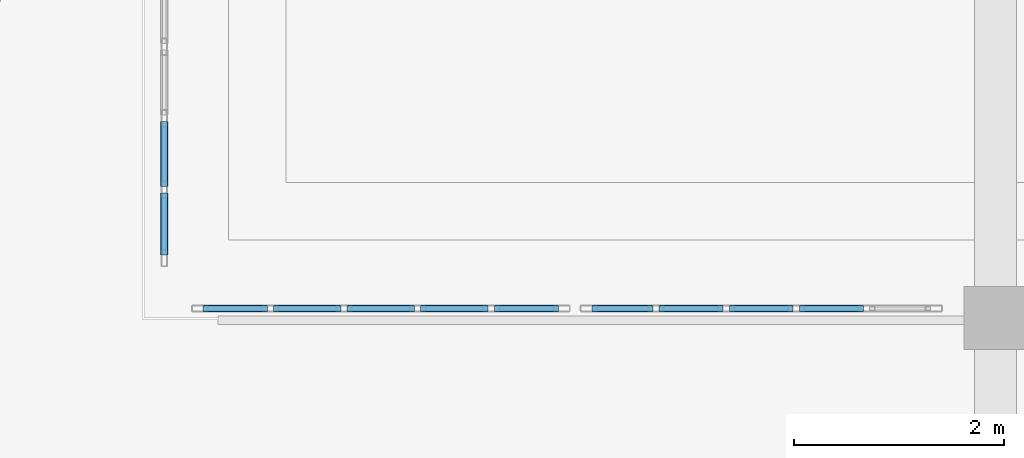
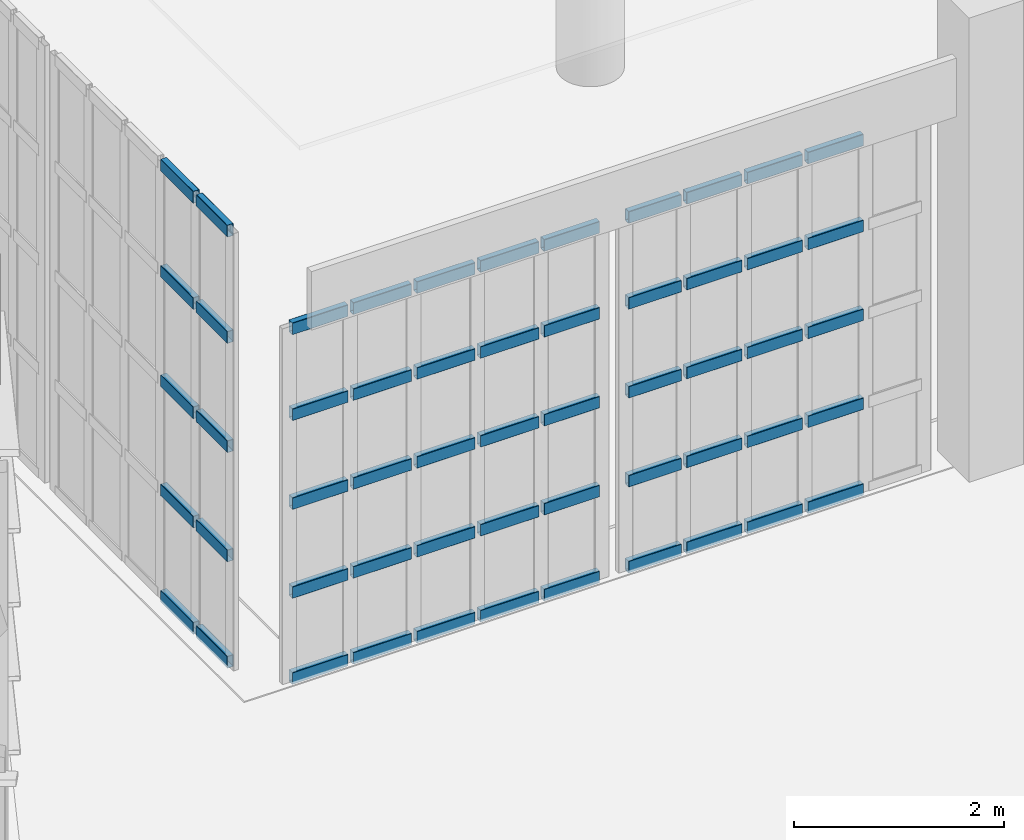
# One storey, part 312 of 372: 55 members, 3 elements without a shape of their own.
"""IFC4 building model written with IfcOpenShell, lengths in metres."""

import ifcopenshell
import ifcopenshell.guid

model = None  # the IFC model being written
_history = None  # IfcOwnerHistory: only IFC2X3 demands one
_inside = {}  # id of a spatial element -> (the spatial element, [elements in it])
_under = {}  # id of a project, library or spatial element -> (it, [spatial elements below it])
_declared = {}  # id of a project -> (the project, [libraries it declares])
_typed = {}  # id of a type object -> (the type object, [elements of that type])
_made_of = {}  # id of a material, layer set ... -> (it, [elements and type objects made of it])


def new_model(schema):
    """Start an empty IFC model of exactly this schema.

    Asked for "IFC4X3", IfcOpenShell would pick the latest addendum, in which some entities
    have other attributes; the version numbers below select the first issue.
    IFC2X3 requires an IfcOwnerHistory on every rooted entity: one is made here for all.
    """
    global model, _history
    if schema == "IFC4X3":
        model = ifcopenshell.file(schema_version=(4, 3, 0, 0))
    else:
        model = ifcopenshell.file(schema=schema)
    _inside.clear()
    _under.clear()
    _declared.clear()
    _typed.clear()
    _made_of.clear()
    _history = None
    if model.schema == "IFC2X3":
        org = make("IfcOrganization", Name="unknown")
        user = make(
            "IfcPersonAndOrganization",
            ThePerson=make("IfcPerson", FamilyName="unknown"),
            TheOrganization=org,
        )
        app = make(
            "IfcApplication",
            ApplicationDeveloper=org,
            Version="unknown",
            ApplicationFullName="unknown",
            ApplicationIdentifier="unknown",
        )
        _history = make(
            "IfcOwnerHistory",
            OwningUser=user,
            OwningApplication=app,
            ChangeAction="ADDED",
            CreationDate=0,
        )
    return model


def make(cls, **values):
    """One entity of the class cls with the attributes given. An attribute that is None is left unset."""
    return model.create_entity(
        cls, **{name: value for name, value in values.items() if value is not None}
    )


def rooted(cls, **values):
    """An entity with a GlobalId (a new one), such as an element, a storey or a relation."""
    return make(cls, GlobalId=ifcopenshell.guid.new(), OwnerHistory=_history, **values)


def si_unit(unit_type, name, prefix=None):
    """IfcSIUnit, for example si_unit("LENGTHUNIT", "METRE", prefix="MILLI")."""
    return make("IfcSIUnit", UnitType=unit_type, Prefix=prefix, Name=name)


def assignment(units):
    """IfcUnitAssignment: the units of a project."""
    return None if units is None else make("IfcUnitAssignment", Units=units)


def point(xyz):
    """IfcCartesianPoint."""
    return None if xyz is None else make("IfcCartesianPoint", Coordinates=xyz)


def direction(xyz):
    """IfcDirection."""
    return None if xyz is None else make("IfcDirection", DirectionRatios=xyz)


def frame(location, z_axis=None, x_axis=None):
    """IfcAxis2Placement3D, a coordinate frame: its origin and axes. An axis left out is left unset."""
    return make(
        "IfcAxis2Placement3D",
        Location=point(location),
        Axis=direction(z_axis),
        RefDirection=direction(x_axis),
    )


def frame_2d(location, x_axis=None):
    """IfcAxis2Placement2D, a coordinate frame in the plane: its origin and x axis."""
    return make(
        "IfcAxis2Placement2D", Location=point(location), RefDirection=direction(x_axis)
    )


def origin():
    """The frame at (0, 0, 0) with its axes left unset."""
    return frame((0.0, 0.0, 0.0))


def origin_2d():
    """The frame at (0, 0) in the plane with its x axis left unset."""
    return frame_2d((0.0, 0.0))


def place(relative_to, where):
    """IfcLocalPlacement: puts the frame where relative to a parent placement (None: the world)."""
    return make(
        "IfcLocalPlacement", PlacementRelTo=relative_to, RelativePlacement=where
    )


def context(
    kind, dimensions, precision=None, world=None, true_north=None, identifier=None
):
    """IfcGeometricRepresentationContext, for example the 3D "Model" context."""
    return make(
        "IfcGeometricRepresentationContext",
        ContextIdentifier=identifier,
        ContextType=kind,
        CoordinateSpaceDimension=dimensions,
        Precision=precision,
        WorldCoordinateSystem=world,
        TrueNorth=true_north,
    )


def subcontext(parent, identifier, kind, view, scale=None):
    """IfcGeometricRepresentationSubContext, for example "Body" below "Model"."""
    return make(
        "IfcGeometricRepresentationSubContext",
        ContextIdentifier=identifier,
        ContextType=kind,
        ParentContext=parent,
        TargetScale=scale,
        TargetView=view,
    )


def project(units=None, contexts=None):
    """IfcProject with its units and contexts."""
    return rooted(
        "IfcProject",
        Name="project",
        RepresentationContexts=contexts,
        UnitsInContext=assignment(units),
    )


def spatial(cls, under=None, at=None, **own):
    """A site, building, storey or space (cls), placed at a placement, below another one or the project."""
    s = rooted(cls, ObjectPlacement=at, **own)
    if under is not None:
        _under.setdefault(under.id(), (under, []))[1].append(s)
    return s


def profile(cls, at=None, kind="AREA", **sizes):
    """A parametric profile (cls). Its sizes go by their IFC names, for example OverallWidth=200.0."""
    return make(cls, ProfileType=kind, Position=at, **sizes)


def hollow_rectangle(**sizes):
    """IfcRectangleHollowProfileDef."""
    return profile("IfcRectangleHollowProfileDef", **sizes)


def extrude(swept, where, along, depth):
    """IfcExtrudedAreaSolid: the profile swept, set in the frame where, extruded along a direction by depth."""
    return make(
        "IfcExtrudedAreaSolid",
        SweptArea=swept,
        Position=where,
        ExtrudedDirection=direction(along),
        Depth=depth,
    )


def shape(context_of_items, identifier, shape_type, items):
    """IfcShapeRepresentation: the items that make up one representation, for example the "Body"."""
    return make(
        "IfcShapeRepresentation",
        ContextOfItems=context_of_items,
        RepresentationIdentifier=identifier,
        RepresentationType=shape_type,
        Items=items,
    )


def material(Name=None, Category=None):
    """IfcMaterial."""
    return make("IfcMaterial", Name=Name, Category=Category)


def material_profile(
    of_material, cross_section, Name=None, Category=None, Priority=None
):
    """IfcMaterialProfile: a cross section and its material."""
    return make(
        "IfcMaterialProfile",
        Name=Name,
        Material=of_material,
        Profile=cross_section,
        Priority=Priority,
        Category=Category,
    )


def profile_set(profiles, Name=None, composite=None):
    """IfcMaterialProfileSet."""
    return make(
        "IfcMaterialProfileSet",
        Name=Name,
        MaterialProfiles=profiles,
        CompositeProfile=composite,
    )


def made_of(thing, what):
    """Note that an element or type object is made of a material, layer set ...; save() writes the relation."""
    if what is not None:
        _made_of.setdefault(what.id(), (what, []))[1].append(thing)
    return thing


def type_object(cls, material=None, **own):
    """A type object (cls), such as IfcWallType, which elements share."""
    return made_of(rooted(cls, **own), material)


def element(
    cls,
    number,
    at=None,
    inside=None,
    cuts=None,
    type_object=None,
    material=None,
    context=None,
    identifier="Body",
    shape_type=None,
    held_by="IfcProductDefinitionShape",
    body=None,
    shapes=None,
    **own,
):
    """One element of the class cls, such as IfcWall. Its Tag is "e" and its number.

    at: its placement. inside: the storey or other place that contains it. cuts: it is an
    opening in that element (IfcRelVoidsElement). A single representation is given by context,
    identifier, shape_type and body (its items); several are given by shapes. held_by: the class
    of the entity that holds the representations. save() writes the other relations.
    """
    e = rooted(cls, Tag="e%d" % number, ObjectPlacement=at, **own)
    if body is not None:
        shapes = [shape(context, identifier, shape_type, body)]
    if shapes is not None:
        e.Representation = make(held_by, Representations=shapes)
    if inside is not None:
        _inside.setdefault(inside.id(), (inside, []))[1].append(e)
    if cuts is not None:
        rooted(
            "IfcRelVoidsElement", RelatingBuildingElement=cuts, RelatedOpeningElement=e
        )
    if type_object is not None:
        _typed.setdefault(type_object.id(), (type_object, []))[1].append(e)
    return made_of(e, material)


def aggregate(whole, parts):
    """IfcRelAggregates: a whole, such as a stair, and the parts it consists of."""
    return rooted("IfcRelAggregates", RelatingObject=whole, RelatedObjects=parts)


def save(model, path):
    """Write the relations noted so far, then the file.

    IfcRelAggregates (storeys below a building ...), IfcRelContainedInSpatialStructure (elements
    in a storey), IfcRelDefinesByType, IfcRelAssociatesMaterial and IfcRelDeclares: one each for
    every whole, place, type object, material and project.
    """
    for whole, parts in _under.values():
        aggregate(whole, parts)
    for where, things in _inside.values():
        rooted(
            "IfcRelContainedInSpatialStructure",
            RelatedElements=things,
            RelatingStructure=where,
        )
    for kind, things in _typed.values():
        rooted("IfcRelDefinesByType", RelatedObjects=things, RelatingType=kind)
    for what, things in _made_of.values():
        rooted("IfcRelAssociatesMaterial", RelatedObjects=things, RelatingMaterial=what)
    for by, libraries in _declared.values():
        rooted("IfcRelDeclares", RelatingContext=by, RelatedDefinitions=libraries)
    model.write(path)


model = new_model("IFC4")

# Units and contexts
model_context = context("Model", 3, precision=1e-05, world=origin(), true_north=direction((0.0, 1.0)))
body_context = subcontext(model_context, "Body", "Model", "MODEL_VIEW")
ifc_project = project(units=[si_unit("LENGTHUNIT", "METRE"), si_unit("AREAUNIT", "SQUARE_METRE"), si_unit("VOLUMEUNIT", "CUBIC_METRE"), si_unit("PLANEANGLEUNIT", "RADIAN"), si_unit("MASSUNIT", "GRAM", prefix="KILO")], contexts=[model_context])

# Site, building, storey
site_placement = place(None, origin())
site = spatial("IfcSite", under=ifc_project, at=site_placement, CompositionType="ELEMENT")
building_placement = place(site_placement, origin())
building = spatial("IfcBuilding", under=site, at=building_placement, Name="Kaelora Sail Theatre", CompositionType="ELEMENT")
storey_placement = place(building_placement, origin())
storey = spatial("IfcBuildingStorey", under=building, at=storey_placement, Name="L00", CompositionType="ELEMENT", Elevation=0.0)

# Curtain wall, members
ifc_material_1 = material(Name="Anodised aluminium and solar-control low-E IGU", Category="aluminium")
curtain_wall_type_1 = type_object("IfcCurtainWallType", Name="ARC-CW-CW-NWG", PredefinedType="NOTDEFINED", material=ifc_material_1)
curtain_wall_1_placement = place(storey_placement, origin())
curtain_wall_1 = element("IfcCurtainWall", 1, at=curtain_wall_1_placement, inside=storey, type_object=curtain_wall_type_1, Name="Glazed Foyer/Conservatory Curtain Wall COLE-S-L00-01", PredefinedType="NOTDEFINED")
ifc_material_2 = material(Name="Anodised aluminium 6063-T6", Category="aluminium")
ifc_material_profile = material_profile(ifc_material_2, hollow_rectangle(XDim=0.070068359375, YDim=0.139892578125, WallThickness=0.00390625, InnerFilletRadius=0.00390625, OuterFilletRadius=0.008056640625, at=origin_2d()), Name="ALU-TRAN 70x140x4")
ifc_profile_set = profile_set([ifc_material_profile], Name="Anodised aluminium 6063-T6")
member_type = type_object("IfcMemberType", Name="ARC-MEM-TR-140", PredefinedType="USERDEFINED", material=ifc_profile_set)
member_1_placement = place(storey_placement, frame((147.860107421875, 31.35009765625, 0.034912109375), z_axis=(1.0, 0.0, 0.0), x_axis=(0.0, 1.0, 0.0)))
member_1 = element("IfcMember", 2, at=member_1_placement, type_object=member_type, Name="CW-NWG transom 1.1", ObjectType="TRANSOM", PredefinedType="USERDEFINED", context=body_context, shape_type="SweptSolid", body=[
    extrude(hollow_rectangle(XDim=0.070068359375, YDim=0.139892578125, WallThickness=0.00390625, InnerFilletRadius=0.00390625, OuterFilletRadius=0.008056640625, at=origin_2d()), origin(), (0.0, 0.0, 1.0), 0.60986328125),
])
member_2_placement = place(storey_placement, frame((147.860107421875, 31.35009765625, 1.0341796875), z_axis=(1.0, 0.0, 0.0), x_axis=(0.0, 1.0, 0.0)))
member_2 = element("IfcMember", 3, at=member_2_placement, type_object=member_type, Name="CW-NWG transom 1.2", ObjectType="TRANSOM", PredefinedType="USERDEFINED", context=body_context, shape_type="SweptSolid", body=[
    extrude(hollow_rectangle(XDim=0.070068359375, YDim=0.139892578125, WallThickness=0.00390625, InnerFilletRadius=0.00390625, OuterFilletRadius=0.008056640625, at=origin_2d()), origin(), (0.0, 0.0, 1.0), 0.60986328125),
])
member_3_placement = place(storey_placement, frame((147.860107421875, 31.35009765625, 2.068603515625), z_axis=(1.0, 0.0, 0.0), x_axis=(0.0, 1.0, 0.0)))
member_3 = element("IfcMember", 4, at=member_3_placement, type_object=member_type, Name="CW-NWG transom 1.3", ObjectType="TRANSOM", PredefinedType="USERDEFINED", context=body_context, shape_type="SweptSolid", body=[
    extrude(hollow_rectangle(XDim=0.070068359375, YDim=0.139892578125, WallThickness=0.00390625, InnerFilletRadius=0.00390625, OuterFilletRadius=0.008056640625, at=origin_2d()), origin(), (0.0, 0.0, 1.0), 0.60986328125),
])
member_4_placement = place(storey_placement, frame((147.860107421875, 31.35009765625, 3.102783203125), z_axis=(1.0, 0.0, 0.0), x_axis=(0.0, 1.0, 0.0)))
member_4 = element("IfcMember", 5, at=member_4_placement, type_object=member_type, Name="CW-NWG transom 1.4", ObjectType="TRANSOM", PredefinedType="USERDEFINED", context=body_context, shape_type="SweptSolid", body=[
    extrude(hollow_rectangle(XDim=0.070068359375, YDim=0.139892578125, WallThickness=0.00390625, InnerFilletRadius=0.00390625, OuterFilletRadius=0.008056640625, at=origin_2d()), origin(), (0.0, 0.0, 1.0), 0.60986328125),
])
member_5_placement = place(storey_placement, frame((147.860107421875, 31.35009765625, 4.10205078125), z_axis=(1.0, 0.0, 0.0), x_axis=(0.0, 1.0, 0.0)))
member_5 = element("IfcMember", 6, at=member_5_placement, type_object=member_type, Name="CW-NWG transom 1.5", ObjectType="TRANSOM", PredefinedType="USERDEFINED", context=body_context, shape_type="SweptSolid", body=[
    extrude(hollow_rectangle(XDim=0.070068359375, YDim=0.139892578125, WallThickness=0.00390625, InnerFilletRadius=0.00390625, OuterFilletRadius=0.008056640625, at=origin_2d()), origin(), (0.0, 0.0, 1.0), 0.60986328125),
])
member_6_placement = place(storey_placement, frame((148.530029296875, 31.35009765625, 0.034912109375), z_axis=(1.0, 0.0, 0.0), x_axis=(0.0, 1.0, 0.0)))
member_6 = element("IfcMember", 7, at=member_6_placement, type_object=member_type, Name="CW-NWG transom 2.1", ObjectType="TRANSOM", PredefinedType="USERDEFINED", context=body_context, shape_type="SweptSolid", body=[
    extrude(hollow_rectangle(XDim=0.070068359375, YDim=0.139892578125, WallThickness=0.00390625, InnerFilletRadius=0.00390625, OuterFilletRadius=0.008056640625, at=origin_2d()), origin(), (0.0, 0.0, 1.0), 0.639892578125),
])
member_7_placement = place(storey_placement, frame((148.530029296875, 31.35009765625, 1.0341796875), z_axis=(1.0, 0.0, 0.0), x_axis=(0.0, 1.0, 0.0)))
member_7 = element("IfcMember", 8, at=member_7_placement, type_object=member_type, Name="CW-NWG transom 2.2", ObjectType="TRANSOM", PredefinedType="USERDEFINED", context=body_context, shape_type="SweptSolid", body=[
    extrude(hollow_rectangle(XDim=0.070068359375, YDim=0.139892578125, WallThickness=0.00390625, InnerFilletRadius=0.00390625, OuterFilletRadius=0.008056640625, at=origin_2d()), origin(), (0.0, 0.0, 1.0), 0.639892578125),
])
member_8_placement = place(storey_placement, frame((148.530029296875, 31.35009765625, 2.068603515625), z_axis=(1.0, 0.0, 0.0), x_axis=(0.0, 1.0, 0.0)))
member_8 = element("IfcMember", 9, at=member_8_placement, type_object=member_type, Name="CW-NWG transom 2.3", ObjectType="TRANSOM", PredefinedType="USERDEFINED", context=body_context, shape_type="SweptSolid", body=[
    extrude(hollow_rectangle(XDim=0.070068359375, YDim=0.139892578125, WallThickness=0.00390625, InnerFilletRadius=0.00390625, OuterFilletRadius=0.008056640625, at=origin_2d()), origin(), (0.0, 0.0, 1.0), 0.639892578125),
])
member_9_placement = place(storey_placement, frame((148.530029296875, 31.35009765625, 3.102783203125), z_axis=(1.0, 0.0, 0.0), x_axis=(0.0, 1.0, 0.0)))
member_9 = element("IfcMember", 10, at=member_9_placement, type_object=member_type, Name="CW-NWG transom 2.4", ObjectType="TRANSOM", PredefinedType="USERDEFINED", context=body_context, shape_type="SweptSolid", body=[
    extrude(hollow_rectangle(XDim=0.070068359375, YDim=0.139892578125, WallThickness=0.00390625, InnerFilletRadius=0.00390625, OuterFilletRadius=0.008056640625, at=origin_2d()), origin(), (0.0, 0.0, 1.0), 0.639892578125),
])
member_10_placement = place(storey_placement, frame((148.530029296875, 31.35009765625, 4.10205078125), z_axis=(1.0, 0.0, 0.0), x_axis=(0.0, 1.0, 0.0)))
member_10 = element("IfcMember", 11, at=member_10_placement, type_object=member_type, Name="CW-NWG transom 2.5", ObjectType="TRANSOM", PredefinedType="USERDEFINED", context=body_context, shape_type="SweptSolid", body=[
    extrude(hollow_rectangle(XDim=0.070068359375, YDim=0.139892578125, WallThickness=0.00390625, InnerFilletRadius=0.00390625, OuterFilletRadius=0.008056640625, at=origin_2d()), origin(), (0.0, 0.0, 1.0), 0.639892578125),
])
member_11_placement = place(storey_placement, frame((149.22998046875, 31.35009765625, 0.034912109375), z_axis=(1.0, 0.0, 0.0), x_axis=(0.0, 1.0, 0.0)))
member_11 = element("IfcMember", 12, at=member_11_placement, type_object=member_type, Name="CW-NWG transom 3.1", ObjectType="TRANSOM", PredefinedType="USERDEFINED", context=body_context, shape_type="SweptSolid", body=[
    extrude(hollow_rectangle(XDim=0.070068359375, YDim=0.139892578125, WallThickness=0.00390625, InnerFilletRadius=0.00390625, OuterFilletRadius=0.008056640625, at=origin_2d()), origin(), (0.0, 0.0, 1.0), 0.64013671875),
])
member_12_placement = place(storey_placement, frame((149.22998046875, 31.35009765625, 1.0341796875), z_axis=(1.0, 0.0, 0.0), x_axis=(0.0, 1.0, 0.0)))
member_12 = element("IfcMember", 13, at=member_12_placement, type_object=member_type, Name="CW-NWG transom 3.2", ObjectType="TRANSOM", PredefinedType="USERDEFINED", context=body_context, shape_type="SweptSolid", body=[
    extrude(hollow_rectangle(XDim=0.070068359375, YDim=0.139892578125, WallThickness=0.00390625, InnerFilletRadius=0.00390625, OuterFilletRadius=0.008056640625, at=origin_2d()), origin(), (0.0, 0.0, 1.0), 0.64013671875),
])
member_13_placement = place(storey_placement, frame((149.22998046875, 31.35009765625, 2.068603515625), z_axis=(1.0, 0.0, 0.0), x_axis=(0.0, 1.0, 0.0)))
member_13 = element("IfcMember", 14, at=member_13_placement, type_object=member_type, Name="CW-NWG transom 3.3", ObjectType="TRANSOM", PredefinedType="USERDEFINED", context=body_context, shape_type="SweptSolid", body=[
    extrude(hollow_rectangle(XDim=0.070068359375, YDim=0.139892578125, WallThickness=0.00390625, InnerFilletRadius=0.00390625, OuterFilletRadius=0.008056640625, at=origin_2d()), origin(), (0.0, 0.0, 1.0), 0.64013671875),
])
member_14_placement = place(storey_placement, frame((149.22998046875, 31.35009765625, 3.102783203125), z_axis=(1.0, 0.0, 0.0), x_axis=(0.0, 1.0, 0.0)))
member_14 = element("IfcMember", 15, at=member_14_placement, type_object=member_type, Name="CW-NWG transom 3.4", ObjectType="TRANSOM", PredefinedType="USERDEFINED", context=body_context, shape_type="SweptSolid", body=[
    extrude(hollow_rectangle(XDim=0.070068359375, YDim=0.139892578125, WallThickness=0.00390625, InnerFilletRadius=0.00390625, OuterFilletRadius=0.008056640625, at=origin_2d()), origin(), (0.0, 0.0, 1.0), 0.64013671875),
])
member_15_placement = place(storey_placement, frame((149.22998046875, 31.35009765625, 4.10205078125), z_axis=(1.0, 0.0, 0.0), x_axis=(0.0, 1.0, 0.0)))
member_15 = element("IfcMember", 16, at=member_15_placement, type_object=member_type, Name="CW-NWG transom 3.5", ObjectType="TRANSOM", PredefinedType="USERDEFINED", context=body_context, shape_type="SweptSolid", body=[
    extrude(hollow_rectangle(XDim=0.070068359375, YDim=0.139892578125, WallThickness=0.00390625, InnerFilletRadius=0.00390625, OuterFilletRadius=0.008056640625, at=origin_2d()), origin(), (0.0, 0.0, 1.0), 0.64013671875),
])
member_16_placement = place(storey_placement, frame((149.929931640625, 31.35009765625, 0.034912109375), z_axis=(1.0, 0.0, 0.0), x_axis=(0.0, 1.0, 0.0)))
member_16 = element("IfcMember", 17, at=member_16_placement, type_object=member_type, Name="CW-NWG transom 4.1", ObjectType="TRANSOM", PredefinedType="USERDEFINED", context=body_context, shape_type="SweptSolid", body=[
    extrude(hollow_rectangle(XDim=0.070068359375, YDim=0.139892578125, WallThickness=0.00390625, InnerFilletRadius=0.00390625, OuterFilletRadius=0.008056640625, at=origin_2d()), origin(), (0.0, 0.0, 1.0), 0.64013671875),
])
member_17_placement = place(storey_placement, frame((149.929931640625, 31.35009765625, 1.0341796875), z_axis=(1.0, 0.0, 0.0), x_axis=(0.0, 1.0, 0.0)))
member_17 = element("IfcMember", 18, at=member_17_placement, type_object=member_type, Name="CW-NWG transom 4.2", ObjectType="TRANSOM", PredefinedType="USERDEFINED", context=body_context, shape_type="SweptSolid", body=[
    extrude(hollow_rectangle(XDim=0.070068359375, YDim=0.139892578125, WallThickness=0.00390625, InnerFilletRadius=0.00390625, OuterFilletRadius=0.008056640625, at=origin_2d()), origin(), (0.0, 0.0, 1.0), 0.64013671875),
])
member_18_placement = place(storey_placement, frame((149.929931640625, 31.35009765625, 2.068603515625), z_axis=(1.0, 0.0, 0.0), x_axis=(0.0, 1.0, 0.0)))
member_18 = element("IfcMember", 19, at=member_18_placement, type_object=member_type, Name="CW-NWG transom 4.3", ObjectType="TRANSOM", PredefinedType="USERDEFINED", context=body_context, shape_type="SweptSolid", body=[
    extrude(hollow_rectangle(XDim=0.070068359375, YDim=0.139892578125, WallThickness=0.00390625, InnerFilletRadius=0.00390625, OuterFilletRadius=0.008056640625, at=origin_2d()), origin(), (0.0, 0.0, 1.0), 0.64013671875),
])
member_19_placement = place(storey_placement, frame((149.929931640625, 31.35009765625, 3.102783203125), z_axis=(1.0, 0.0, 0.0), x_axis=(0.0, 1.0, 0.0)))
member_19 = element("IfcMember", 20, at=member_19_placement, type_object=member_type, Name="CW-NWG transom 4.4", ObjectType="TRANSOM", PredefinedType="USERDEFINED", context=body_context, shape_type="SweptSolid", body=[
    extrude(hollow_rectangle(XDim=0.070068359375, YDim=0.139892578125, WallThickness=0.00390625, InnerFilletRadius=0.00390625, OuterFilletRadius=0.008056640625, at=origin_2d()), origin(), (0.0, 0.0, 1.0), 0.64013671875),
])
member_20_placement = place(storey_placement, frame((149.929931640625, 31.35009765625, 4.10205078125), z_axis=(1.0, 0.0, 0.0), x_axis=(0.0, 1.0, 0.0)))
member_20 = element("IfcMember", 21, at=member_20_placement, type_object=member_type, Name="CW-NWG transom 4.5", ObjectType="TRANSOM", PredefinedType="USERDEFINED", context=body_context, shape_type="SweptSolid", body=[
    extrude(hollow_rectangle(XDim=0.070068359375, YDim=0.139892578125, WallThickness=0.00390625, InnerFilletRadius=0.00390625, OuterFilletRadius=0.008056640625, at=origin_2d()), origin(), (0.0, 0.0, 1.0), 0.64013671875),
])
member_21_placement = place(storey_placement, frame((150.6298828125, 31.35009765625, 0.034912109375), z_axis=(1.0, 0.0, 0.0), x_axis=(0.0, 1.0, 0.0)))
member_21 = element("IfcMember", 22, at=member_21_placement, type_object=member_type, Name="CW-NWG transom 5.1", ObjectType="TRANSOM", PredefinedType="USERDEFINED", context=body_context, shape_type="SweptSolid", body=[
    extrude(hollow_rectangle(XDim=0.070068359375, YDim=0.139892578125, WallThickness=0.00390625, InnerFilletRadius=0.00390625, OuterFilletRadius=0.008056640625, at=origin_2d()), origin(), (0.0, 0.0, 1.0), 0.610107421875),
])
member_22_placement = place(storey_placement, frame((150.6298828125, 31.35009765625, 1.0341796875), z_axis=(1.0, 0.0, 0.0), x_axis=(0.0, 1.0, 0.0)))
member_22 = element("IfcMember", 23, at=member_22_placement, type_object=member_type, Name="CW-NWG transom 5.2", ObjectType="TRANSOM", PredefinedType="USERDEFINED", context=body_context, shape_type="SweptSolid", body=[
    extrude(hollow_rectangle(XDim=0.070068359375, YDim=0.139892578125, WallThickness=0.00390625, InnerFilletRadius=0.00390625, OuterFilletRadius=0.008056640625, at=origin_2d()), origin(), (0.0, 0.0, 1.0), 0.610107421875),
])
member_23_placement = place(storey_placement, frame((150.6298828125, 31.35009765625, 2.068603515625), z_axis=(1.0, 0.0, 0.0), x_axis=(0.0, 1.0, 0.0)))
member_23 = element("IfcMember", 24, at=member_23_placement, type_object=member_type, Name="CW-NWG transom 5.3", ObjectType="TRANSOM", PredefinedType="USERDEFINED", context=body_context, shape_type="SweptSolid", body=[
    extrude(hollow_rectangle(XDim=0.070068359375, YDim=0.139892578125, WallThickness=0.00390625, InnerFilletRadius=0.00390625, OuterFilletRadius=0.008056640625, at=origin_2d()), origin(), (0.0, 0.0, 1.0), 0.610107421875),
])
member_24_placement = place(storey_placement, frame((150.6298828125, 31.35009765625, 3.102783203125), z_axis=(1.0, 0.0, 0.0), x_axis=(0.0, 1.0, 0.0)))
member_24 = element("IfcMember", 25, at=member_24_placement, type_object=member_type, Name="CW-NWG transom 5.4", ObjectType="TRANSOM", PredefinedType="USERDEFINED", context=body_context, shape_type="SweptSolid", body=[
    extrude(hollow_rectangle(XDim=0.070068359375, YDim=0.139892578125, WallThickness=0.00390625, InnerFilletRadius=0.00390625, OuterFilletRadius=0.008056640625, at=origin_2d()), origin(), (0.0, 0.0, 1.0), 0.610107421875),
])
member_25_placement = place(storey_placement, frame((150.6298828125, 31.35009765625, 4.10205078125), z_axis=(1.0, 0.0, 0.0), x_axis=(0.0, 1.0, 0.0)))
member_25 = element("IfcMember", 26, at=member_25_placement, type_object=member_type, Name="CW-NWG transom 5.5", ObjectType="TRANSOM", PredefinedType="USERDEFINED", context=body_context, shape_type="SweptSolid", body=[
    extrude(hollow_rectangle(XDim=0.070068359375, YDim=0.139892578125, WallThickness=0.00390625, InnerFilletRadius=0.00390625, OuterFilletRadius=0.008056640625, at=origin_2d()), origin(), (0.0, 0.0, 1.0), 0.610107421875),
])
aggregate(curtain_wall_1, [member_1, member_2, member_3, member_4, member_5, member_6, member_7, member_8, member_9, member_10, member_11, member_12, member_13, member_14, member_15, member_16, member_17, member_18, member_19, member_20, member_21, member_22, member_23, member_24, member_25])

curtain_wall_2_placement = place(storey_placement, origin())
curtain_wall_2 = element("IfcCurtainWall", 27, at=curtain_wall_2_placement, inside=storey, type_object=curtain_wall_type_1, Name="Glazed Foyer/Conservatory Curtain Wall COLE-S-L00-02", PredefinedType="NOTDEFINED")
member_26_placement = place(storey_placement, frame((151.56005859375, 31.35009765625, 0.034912109375), z_axis=(1.0, 0.0, 0.0), x_axis=(0.0, 1.0, 0.0)))
member_26 = element("IfcMember", 28, at=member_26_placement, type_object=member_type, Name="CW-NWG transom 1.1", ObjectType="TRANSOM", PredefinedType="USERDEFINED", context=body_context, shape_type="SweptSolid", body=[
    extrude(hollow_rectangle(XDim=0.070068359375, YDim=0.139892578125, WallThickness=0.00390625, InnerFilletRadius=0.00390625, OuterFilletRadius=0.008056640625, at=origin_2d()), origin(), (0.0, 0.0, 1.0), 0.577880859375),
])
member_27_placement = place(storey_placement, frame((151.56005859375, 31.35009765625, 1.0341796875), z_axis=(1.0, 0.0, 0.0), x_axis=(0.0, 1.0, 0.0)))
member_27 = element("IfcMember", 29, at=member_27_placement, type_object=member_type, Name="CW-NWG transom 1.2", ObjectType="TRANSOM", PredefinedType="USERDEFINED", context=body_context, shape_type="SweptSolid", body=[
    extrude(hollow_rectangle(XDim=0.070068359375, YDim=0.139892578125, WallThickness=0.00390625, InnerFilletRadius=0.00390625, OuterFilletRadius=0.008056640625, at=origin_2d()), origin(), (0.0, 0.0, 1.0), 0.577880859375),
])
member_28_placement = place(storey_placement, frame((151.56005859375, 31.35009765625, 2.068603515625), z_axis=(1.0, 0.0, 0.0), x_axis=(0.0, 1.0, 0.0)))
member_28 = element("IfcMember", 30, at=member_28_placement, type_object=member_type, Name="CW-NWG transom 1.3", ObjectType="TRANSOM", PredefinedType="USERDEFINED", context=body_context, shape_type="SweptSolid", body=[
    extrude(hollow_rectangle(XDim=0.070068359375, YDim=0.139892578125, WallThickness=0.00390625, InnerFilletRadius=0.00390625, OuterFilletRadius=0.008056640625, at=origin_2d()), origin(), (0.0, 0.0, 1.0), 0.577880859375),
])
member_29_placement = place(storey_placement, frame((151.56005859375, 31.35009765625, 3.102783203125), z_axis=(1.0, 0.0, 0.0), x_axis=(0.0, 1.0, 0.0)))
member_29 = element("IfcMember", 31, at=member_29_placement, type_object=member_type, Name="CW-NWG transom 1.4", ObjectType="TRANSOM", PredefinedType="USERDEFINED", context=body_context, shape_type="SweptSolid", body=[
    extrude(hollow_rectangle(XDim=0.070068359375, YDim=0.139892578125, WallThickness=0.00390625, InnerFilletRadius=0.00390625, OuterFilletRadius=0.008056640625, at=origin_2d()), origin(), (0.0, 0.0, 1.0), 0.577880859375),
])
member_30_placement = place(storey_placement, frame((151.56005859375, 31.35009765625, 4.10205078125), z_axis=(1.0, 0.0, 0.0), x_axis=(0.0, 1.0, 0.0)))
member_30 = element("IfcMember", 32, at=member_30_placement, type_object=member_type, Name="CW-NWG transom 1.5", ObjectType="TRANSOM", PredefinedType="USERDEFINED", context=body_context, shape_type="SweptSolid", body=[
    extrude(hollow_rectangle(XDim=0.070068359375, YDim=0.139892578125, WallThickness=0.00390625, InnerFilletRadius=0.00390625, OuterFilletRadius=0.008056640625, at=origin_2d()), origin(), (0.0, 0.0, 1.0), 0.577880859375),
])
member_31_placement = place(storey_placement, frame((152.197998046875, 31.35009765625, 0.034912109375), z_axis=(1.0, 0.0, 0.0), x_axis=(0.0, 1.0, 0.0)))
member_31 = element("IfcMember", 33, at=member_31_placement, type_object=member_type, Name="CW-NWG transom 2.1", ObjectType="TRANSOM", PredefinedType="USERDEFINED", context=body_context, shape_type="SweptSolid", body=[
    extrude(hollow_rectangle(XDim=0.070068359375, YDim=0.139892578125, WallThickness=0.00390625, InnerFilletRadius=0.00390625, OuterFilletRadius=0.008056640625, at=origin_2d()), origin(), (0.0, 0.0, 1.0), 0.60791015625),
])
member_32_placement = place(storey_placement, frame((152.197998046875, 31.35009765625, 1.0341796875), z_axis=(1.0, 0.0, 0.0), x_axis=(0.0, 1.0, 0.0)))
member_32 = element("IfcMember", 34, at=member_32_placement, type_object=member_type, Name="CW-NWG transom 2.2", ObjectType="TRANSOM", PredefinedType="USERDEFINED", context=body_context, shape_type="SweptSolid", body=[
    extrude(hollow_rectangle(XDim=0.070068359375, YDim=0.139892578125, WallThickness=0.00390625, InnerFilletRadius=0.00390625, OuterFilletRadius=0.008056640625, at=origin_2d()), origin(), (0.0, 0.0, 1.0), 0.60791015625),
])
member_33_placement = place(storey_placement, frame((152.197998046875, 31.35009765625, 2.068603515625), z_axis=(1.0, 0.0, 0.0), x_axis=(0.0, 1.0, 0.0)))
member_33 = element("IfcMember", 35, at=member_33_placement, type_object=member_type, Name="CW-NWG transom 2.3", ObjectType="TRANSOM", PredefinedType="USERDEFINED", context=body_context, shape_type="SweptSolid", body=[
    extrude(hollow_rectangle(XDim=0.070068359375, YDim=0.139892578125, WallThickness=0.00390625, InnerFilletRadius=0.00390625, OuterFilletRadius=0.008056640625, at=origin_2d()), origin(), (0.0, 0.0, 1.0), 0.60791015625),
])
member_34_placement = place(storey_placement, frame((152.197998046875, 31.35009765625, 3.102783203125), z_axis=(1.0, 0.0, 0.0), x_axis=(0.0, 1.0, 0.0)))
member_34 = element("IfcMember", 36, at=member_34_placement, type_object=member_type, Name="CW-NWG transom 2.4", ObjectType="TRANSOM", PredefinedType="USERDEFINED", context=body_context, shape_type="SweptSolid", body=[
    extrude(hollow_rectangle(XDim=0.070068359375, YDim=0.139892578125, WallThickness=0.00390625, InnerFilletRadius=0.00390625, OuterFilletRadius=0.008056640625, at=origin_2d()), origin(), (0.0, 0.0, 1.0), 0.60791015625),
])
member_35_placement = place(storey_placement, frame((152.197998046875, 31.35009765625, 4.10205078125), z_axis=(1.0, 0.0, 0.0), x_axis=(0.0, 1.0, 0.0)))
member_35 = element("IfcMember", 37, at=member_35_placement, type_object=member_type, Name="CW-NWG transom 2.5", ObjectType="TRANSOM", PredefinedType="USERDEFINED", context=body_context, shape_type="SweptSolid", body=[
    extrude(hollow_rectangle(XDim=0.070068359375, YDim=0.139892578125, WallThickness=0.00390625, InnerFilletRadius=0.00390625, OuterFilletRadius=0.008056640625, at=origin_2d()), origin(), (0.0, 0.0, 1.0), 0.60791015625),
])
member_36_placement = place(storey_placement, frame((152.865966796875, 31.35009765625, 0.034912109375), z_axis=(1.0, 0.0, 0.0), x_axis=(0.0, 1.0, 0.0)))
member_36 = element("IfcMember", 38, at=member_36_placement, type_object=member_type, Name="CW-NWG transom 3.1", ObjectType="TRANSOM", PredefinedType="USERDEFINED", context=body_context, shape_type="SweptSolid", body=[
    extrude(hollow_rectangle(XDim=0.070068359375, YDim=0.139892578125, WallThickness=0.00390625, InnerFilletRadius=0.00390625, OuterFilletRadius=0.008056640625, at=origin_2d()), origin(), (0.0, 0.0, 1.0), 0.608154296875),
])
member_37_placement = place(storey_placement, frame((152.865966796875, 31.35009765625, 1.0341796875), z_axis=(1.0, 0.0, 0.0), x_axis=(0.0, 1.0, 0.0)))
member_37 = element("IfcMember", 39, at=member_37_placement, type_object=member_type, Name="CW-NWG transom 3.2", ObjectType="TRANSOM", PredefinedType="USERDEFINED", context=body_context, shape_type="SweptSolid", body=[
    extrude(hollow_rectangle(XDim=0.070068359375, YDim=0.139892578125, WallThickness=0.00390625, InnerFilletRadius=0.00390625, OuterFilletRadius=0.008056640625, at=origin_2d()), origin(), (0.0, 0.0, 1.0), 0.608154296875),
])
member_38_placement = place(storey_placement, frame((152.865966796875, 31.35009765625, 2.068603515625), z_axis=(1.0, 0.0, 0.0), x_axis=(0.0, 1.0, 0.0)))
member_38 = element("IfcMember", 40, at=member_38_placement, type_object=member_type, Name="CW-NWG transom 3.3", ObjectType="TRANSOM", PredefinedType="USERDEFINED", context=body_context, shape_type="SweptSolid", body=[
    extrude(hollow_rectangle(XDim=0.070068359375, YDim=0.139892578125, WallThickness=0.00390625, InnerFilletRadius=0.00390625, OuterFilletRadius=0.008056640625, at=origin_2d()), origin(), (0.0, 0.0, 1.0), 0.608154296875),
])
member_39_placement = place(storey_placement, frame((152.865966796875, 31.35009765625, 3.102783203125), z_axis=(1.0, 0.0, 0.0), x_axis=(0.0, 1.0, 0.0)))
member_39 = element("IfcMember", 41, at=member_39_placement, type_object=member_type, Name="CW-NWG transom 3.4", ObjectType="TRANSOM", PredefinedType="USERDEFINED", context=body_context, shape_type="SweptSolid", body=[
    extrude(hollow_rectangle(XDim=0.070068359375, YDim=0.139892578125, WallThickness=0.00390625, InnerFilletRadius=0.00390625, OuterFilletRadius=0.008056640625, at=origin_2d()), origin(), (0.0, 0.0, 1.0), 0.608154296875),
])
member_40_placement = place(storey_placement, frame((152.865966796875, 31.35009765625, 4.10205078125), z_axis=(1.0, 0.0, 0.0), x_axis=(0.0, 1.0, 0.0)))
member_40 = element("IfcMember", 42, at=member_40_placement, type_object=member_type, Name="CW-NWG transom 3.5", ObjectType="TRANSOM", PredefinedType="USERDEFINED", context=body_context, shape_type="SweptSolid", body=[
    extrude(hollow_rectangle(XDim=0.070068359375, YDim=0.139892578125, WallThickness=0.00390625, InnerFilletRadius=0.00390625, OuterFilletRadius=0.008056640625, at=origin_2d()), origin(), (0.0, 0.0, 1.0), 0.608154296875),
])
member_41_placement = place(storey_placement, frame((153.533935546875, 31.35009765625, 0.034912109375), z_axis=(1.0, 0.0, 0.0), x_axis=(0.0, 1.0, 0.0)))
member_41 = element("IfcMember", 43, at=member_41_placement, type_object=member_type, Name="CW-NWG transom 4.1", ObjectType="TRANSOM", PredefinedType="USERDEFINED", context=body_context, shape_type="SweptSolid", body=[
    extrude(hollow_rectangle(XDim=0.070068359375, YDim=0.139892578125, WallThickness=0.00390625, InnerFilletRadius=0.00390625, OuterFilletRadius=0.008056640625, at=origin_2d()), origin(), (0.0, 0.0, 1.0), 0.608154296875),
])
member_42_placement = place(storey_placement, frame((153.533935546875, 31.35009765625, 1.0341796875), z_axis=(1.0, 0.0, 0.0), x_axis=(0.0, 1.0, 0.0)))
member_42 = element("IfcMember", 44, at=member_42_placement, type_object=member_type, Name="CW-NWG transom 4.2", ObjectType="TRANSOM", PredefinedType="USERDEFINED", context=body_context, shape_type="SweptSolid", body=[
    extrude(hollow_rectangle(XDim=0.070068359375, YDim=0.139892578125, WallThickness=0.00390625, InnerFilletRadius=0.00390625, OuterFilletRadius=0.008056640625, at=origin_2d()), origin(), (0.0, 0.0, 1.0), 0.608154296875),
])
member_43_placement = place(storey_placement, frame((153.533935546875, 31.35009765625, 2.068603515625), z_axis=(1.0, 0.0, 0.0), x_axis=(0.0, 1.0, 0.0)))
member_43 = element("IfcMember", 45, at=member_43_placement, type_object=member_type, Name="CW-NWG transom 4.3", ObjectType="TRANSOM", PredefinedType="USERDEFINED", context=body_context, shape_type="SweptSolid", body=[
    extrude(hollow_rectangle(XDim=0.070068359375, YDim=0.139892578125, WallThickness=0.00390625, InnerFilletRadius=0.00390625, OuterFilletRadius=0.008056640625, at=origin_2d()), origin(), (0.0, 0.0, 1.0), 0.608154296875),
])
member_44_placement = place(storey_placement, frame((153.533935546875, 31.35009765625, 3.102783203125), z_axis=(1.0, 0.0, 0.0), x_axis=(0.0, 1.0, 0.0)))
member_44 = element("IfcMember", 46, at=member_44_placement, type_object=member_type, Name="CW-NWG transom 4.4", ObjectType="TRANSOM", PredefinedType="USERDEFINED", context=body_context, shape_type="SweptSolid", body=[
    extrude(hollow_rectangle(XDim=0.070068359375, YDim=0.139892578125, WallThickness=0.00390625, InnerFilletRadius=0.00390625, OuterFilletRadius=0.008056640625, at=origin_2d()), origin(), (0.0, 0.0, 1.0), 0.608154296875),
])
member_45_placement = place(storey_placement, frame((153.533935546875, 31.35009765625, 4.10205078125), z_axis=(1.0, 0.0, 0.0), x_axis=(0.0, 1.0, 0.0)))
member_45 = element("IfcMember", 47, at=member_45_placement, type_object=member_type, Name="CW-NWG transom 4.5", ObjectType="TRANSOM", PredefinedType="USERDEFINED", context=body_context, shape_type="SweptSolid", body=[
    extrude(hollow_rectangle(XDim=0.070068359375, YDim=0.139892578125, WallThickness=0.00390625, InnerFilletRadius=0.00390625, OuterFilletRadius=0.008056640625, at=origin_2d()), origin(), (0.0, 0.0, 1.0), 0.608154296875),
])
aggregate(curtain_wall_2, [member_26, member_27, member_28, member_29, member_30, member_31, member_32, member_33, member_34, member_35, member_36, member_37, member_38, member_39, member_40, member_41, member_42, member_43, member_44, member_45])

ifc_material_3 = material(Name="Anodised aluminium and solar-control low-E IGU", Category="aluminium")
curtain_wall_type_2 = type_object("IfcCurtainWallType", Name="ARC-CW-CW-FOY2", PredefinedType="NOTDEFINED", material=ifc_material_3)
curtain_wall_3_placement = place(storey_placement, origin())
curtain_wall_3 = element("IfcCurtainWall", 48, at=curtain_wall_3_placement, inside=storey, type_object=curtain_wall_type_2, Name="Glazed Colonnade/Courtyard Curtain Wall COLE-W-L00-01", PredefinedType="NOTDEFINED")
member_46_placement = place(storey_placement, frame((147.489990234375, 31.860107421875, 0.034912109375), z_axis=(0.0, 1.0, 0.0), x_axis=(-1.0, 0.0, 0.0)))
member_46 = element("IfcMember", 49, at=member_46_placement, type_object=member_type, Name="CW-FOY2 transom 1.1", ObjectType="TRANSOM", PredefinedType="USERDEFINED", context=body_context, shape_type="SweptSolid", body=[
    extrude(hollow_rectangle(XDim=0.070068359375, YDim=0.139892578125, WallThickness=0.00390625, InnerFilletRadius=0.00390625, OuterFilletRadius=0.008056640625, at=origin_2d()), origin(), (0.0, 0.0, 1.0), 0.58984375),
])
member_47_placement = place(storey_placement, frame((147.489990234375, 31.860107421875, 1.271240234375), z_axis=(0.0, 1.0, 0.0), x_axis=(-1.0, 0.0, 0.0)))
member_47 = element("IfcMember", 50, at=member_47_placement, type_object=member_type, Name="CW-FOY2 transom 1.2", ObjectType="TRANSOM", PredefinedType="USERDEFINED", context=body_context, shape_type="SweptSolid", body=[
    extrude(hollow_rectangle(XDim=0.070068359375, YDim=0.139892578125, WallThickness=0.00390625, InnerFilletRadius=0.00390625, OuterFilletRadius=0.008056640625, at=origin_2d()), origin(), (0.0, 0.0, 1.0), 0.58984375),
])
member_48_placement = place(storey_placement, frame((147.489990234375, 31.860107421875, 2.54248046875), z_axis=(0.0, 1.0, 0.0), x_axis=(-1.0, 0.0, 0.0)))
member_48 = element("IfcMember", 51, at=member_48_placement, type_object=member_type, Name="CW-FOY2 transom 1.3", ObjectType="TRANSOM", PredefinedType="USERDEFINED", context=body_context, shape_type="SweptSolid", body=[
    extrude(hollow_rectangle(XDim=0.070068359375, YDim=0.139892578125, WallThickness=0.00390625, InnerFilletRadius=0.00390625, OuterFilletRadius=0.008056640625, at=origin_2d()), origin(), (0.0, 0.0, 1.0), 0.58984375),
])
member_49_placement = place(storey_placement, frame((147.489990234375, 31.860107421875, 3.813720703125), z_axis=(0.0, 1.0, 0.0), x_axis=(-1.0, 0.0, 0.0)))
member_49 = element("IfcMember", 52, at=member_49_placement, type_object=member_type, Name="CW-FOY2 transom 1.4", ObjectType="TRANSOM", PredefinedType="USERDEFINED", context=body_context, shape_type="SweptSolid", body=[
    extrude(hollow_rectangle(XDim=0.070068359375, YDim=0.139892578125, WallThickness=0.00390625, InnerFilletRadius=0.00390625, OuterFilletRadius=0.008056640625, at=origin_2d()), origin(), (0.0, 0.0, 1.0), 0.58984375),
])
member_50_placement = place(storey_placement, frame((147.489990234375, 31.860107421875, 5.050048828125), z_axis=(0.0, 1.0, 0.0), x_axis=(-1.0, 0.0, 0.0)))
member_50 = element("IfcMember", 53, at=member_50_placement, type_object=member_type, Name="CW-FOY2 transom 1.5", ObjectType="TRANSOM", PredefinedType="USERDEFINED", context=body_context, shape_type="SweptSolid", body=[
    extrude(hollow_rectangle(XDim=0.070068359375, YDim=0.139892578125, WallThickness=0.00390625, InnerFilletRadius=0.00390625, OuterFilletRadius=0.008056640625, at=origin_2d()), origin(), (0.0, 0.0, 1.0), 0.58984375),
])
member_51_placement = place(storey_placement, frame((147.489990234375, 32.510009765625, 0.034912109375), z_axis=(0.0, 1.0, 0.0), x_axis=(-1.0, 0.0, 0.0)))
member_51 = element("IfcMember", 54, at=member_51_placement, type_object=member_type, Name="CW-FOY2 transom 2.1", ObjectType="TRANSOM", PredefinedType="USERDEFINED", context=body_context, shape_type="SweptSolid", body=[
    extrude(hollow_rectangle(XDim=0.070068359375, YDim=0.139892578125, WallThickness=0.00390625, InnerFilletRadius=0.00390625, OuterFilletRadius=0.008056640625, at=origin_2d()), origin(), (0.0, 0.0, 1.0), 0.619873046875),
])
member_52_placement = place(storey_placement, frame((147.489990234375, 32.510009765625, 1.271240234375), z_axis=(0.0, 1.0, 0.0), x_axis=(-1.0, 0.0, 0.0)))
member_52 = element("IfcMember", 55, at=member_52_placement, type_object=member_type, Name="CW-FOY2 transom 2.2", ObjectType="TRANSOM", PredefinedType="USERDEFINED", context=body_context, shape_type="SweptSolid", body=[
    extrude(hollow_rectangle(XDim=0.070068359375, YDim=0.139892578125, WallThickness=0.00390625, InnerFilletRadius=0.00390625, OuterFilletRadius=0.008056640625, at=origin_2d()), origin(), (0.0, 0.0, 1.0), 0.619873046875),
])
member_53_placement = place(storey_placement, frame((147.489990234375, 32.510009765625, 2.54248046875), z_axis=(0.0, 1.0, 0.0), x_axis=(-1.0, 0.0, 0.0)))
member_53 = element("IfcMember", 56, at=member_53_placement, type_object=member_type, Name="CW-FOY2 transom 2.3", ObjectType="TRANSOM", PredefinedType="USERDEFINED", context=body_context, shape_type="SweptSolid", body=[
    extrude(hollow_rectangle(XDim=0.070068359375, YDim=0.139892578125, WallThickness=0.00390625, InnerFilletRadius=0.00390625, OuterFilletRadius=0.008056640625, at=origin_2d()), origin(), (0.0, 0.0, 1.0), 0.619873046875),
])
member_54_placement = place(storey_placement, frame((147.489990234375, 32.510009765625, 3.813720703125), z_axis=(0.0, 1.0, 0.0), x_axis=(-1.0, 0.0, 0.0)))
member_54 = element("IfcMember", 57, at=member_54_placement, type_object=member_type, Name="CW-FOY2 transom 2.4", ObjectType="TRANSOM", PredefinedType="USERDEFINED", context=body_context, shape_type="SweptSolid", body=[
    extrude(hollow_rectangle(XDim=0.070068359375, YDim=0.139892578125, WallThickness=0.00390625, InnerFilletRadius=0.00390625, OuterFilletRadius=0.008056640625, at=origin_2d()), origin(), (0.0, 0.0, 1.0), 0.619873046875),
])
member_55_placement = place(storey_placement, frame((147.489990234375, 32.510009765625, 5.050048828125), z_axis=(0.0, 1.0, 0.0), x_axis=(-1.0, 0.0, 0.0)))
member_55 = element("IfcMember", 58, at=member_55_placement, type_object=member_type, Name="CW-FOY2 transom 2.5", ObjectType="TRANSOM", PredefinedType="USERDEFINED", context=body_context, shape_type="SweptSolid", body=[
    extrude(hollow_rectangle(XDim=0.070068359375, YDim=0.139892578125, WallThickness=0.00390625, InnerFilletRadius=0.00390625, OuterFilletRadius=0.008056640625, at=origin_2d()), origin(), (0.0, 0.0, 1.0), 0.619873046875),
])
aggregate(curtain_wall_3, [member_46, member_47, member_48, member_49, member_50, member_51, member_52, member_53, member_54, member_55])

save(model, "model.ifc")
